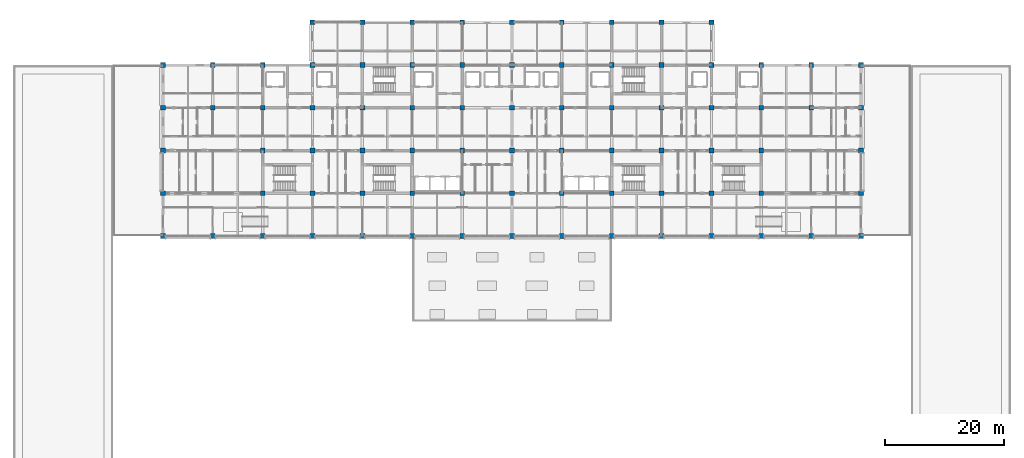
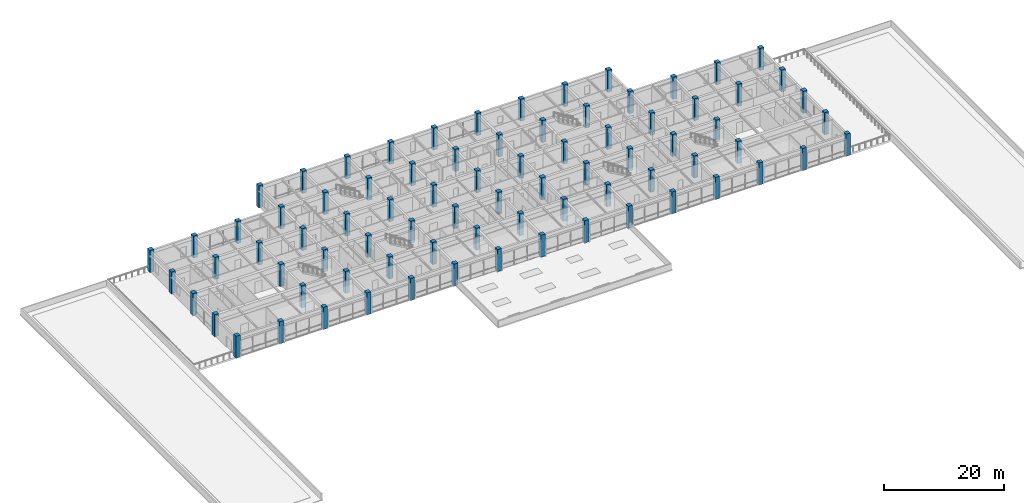
# One storey, part 1 of 40: 80 columns.
"""IFC4 building model written with IfcOpenShell, lengths in metres."""

from ifc_helpers import new_model, si_unit, direction, frame, origin, origin_2d, place, context, subcontext, project, spatial, rectangle, extrude, material, material_profile, profile_set, type_object, element, save


model = new_model("IFC4")

# Units and contexts
model_context = context("Model", 3, precision=1e-05, world=origin(), true_north=direction((0.0, 1.0)))
body_context = subcontext(model_context, "Body", "Model", "MODEL_VIEW")
ifc_project = project(units=[si_unit("LENGTHUNIT", "METRE"), si_unit("AREAUNIT", "SQUARE_METRE"), si_unit("VOLUMEUNIT", "CUBIC_METRE"), si_unit("PLANEANGLEUNIT", "RADIAN"), si_unit("MASSUNIT", "GRAM", prefix="KILO")], contexts=[model_context])

# Site, building, storey
site_placement = place(None, origin())
site = spatial("IfcSite", under=ifc_project, at=site_placement, CompositionType="ELEMENT")
building_placement = place(site_placement, origin())
building = spatial("IfcBuilding", under=site, at=building_placement, Name="Chengyuan Square Courthouse", CompositionType="ELEMENT")
storey_placement = place(building_placement, frame((0.0, 0.0, 21.60009765625)))
storey = spatial("IfcBuildingStorey", under=building, at=storey_placement, Name="L05", CompositionType="ELEMENT", Elevation=21.60009765625)

# Columns
ifc_material = material(Name="Concrete C50", Category="concrete")
ifc_material_profile = material_profile(ifc_material, rectangle(XDim=0.800048828125, YDim=0.800048828125, at=origin_2d()), Name="RC-COL-800x800")
ifc_profile_set = profile_set([ifc_material_profile], Name="Concrete C50")
column_type = type_object("IfcColumnType", Name="CL-04", PredefinedType="COLUMN", material=ifc_profile_set)
for number, where, z_axis, x_axis, name in (
    (1, (25.199951171875, 79.199951171875, 0.0), (0.0, 0.0, 1.0), (1.0, 0.0, 0.0), "Column CL-L05-001"),
    (2, (25.199951171875, 86.39990234375, 0.0), (0.0, 0.0, 1.0), (1.0, 0.0, 0.0), "Column CL-L05-002"),
    (3, (25.199951171875, 93.60009765625, 0.0), (0.0, 0.0, 1.0), (1.0, 0.0, 0.0), "Column CL-L05-003"),
    (4, (25.199951171875, 100.800048828125, 0.0), (0.0, 0.0, 1.0), (1.0, 0.0, 0.0), "Column CL-L05-004"),
    (5, (25.199951171875, 108.0, 0.0), (0.0, 0.0, 1.0), (1.0, 0.0, 0.0), "Column CL-L05-005"),
    (6, (33.60009765625, 79.199951171875, 0.0), (0.0, 0.0, 1.0), (1.0, 0.0, 0.0), "Column CL-L05-006"),
    (7, (33.60009765625, 100.800048828125, 0.0), (0.0, 0.0, 1.0), (1.0, 0.0, 0.0), "Column CL-L05-007"),
    (8, (33.60009765625, 108.0, 0.0), (0.0, 0.0, 1.0), (1.0, 0.0, 0.0), "Column CL-L05-008"),
    (9, (42.0, 79.199951171875, 0.0), (0.0, 0.0, 1.0), (1.0, 0.0, 0.0), "Column CL-L05-009"),
    (10, (42.0, 86.39990234375, 0.0), (0.0, 0.0, 1.0), (1.0, 0.0, 0.0), "Column CL-L05-010"),
    (11, (42.0, 93.60009765625, 0.0), (0.0, 0.0, 1.0), (1.0, 0.0, 0.0), "Column CL-L05-011"),
    (12, (42.0, 100.800048828125, 0.0), (0.0, 0.0, 1.0), (1.0, 0.0, 0.0), "Column CL-L05-012"),
    (13, (42.0, 108.0, 0.0), (0.0, 0.0, 1.0), (1.0, 0.0, 0.0), "Column CL-L05-013"),
    (14, (50.39990234375, 79.199951171875, 0.0), (0.0, 0.0, 1.0), (1.0, 0.0, 0.0), "Column CL-L05-014"),
    (15, (50.39990234375, 86.39990234375, 0.0), (0.0, 0.0, 1.0), (1.0, 0.0, 0.0), "Column CL-L05-015"),
    (16, (50.39990234375, 93.60009765625, 0.0), (0.0, 0.0, 1.0), (1.0, 0.0, 0.0), "Column CL-L05-016"),
    (17, (50.39990234375, 100.800048828125, 0.0), (0.0, 0.0, 1.0), (1.0, 0.0, 0.0), "Column CL-L05-017"),
    (18, (50.39990234375, 108.0, 0.0), (0.0, 0.0, 1.0), (1.0, 0.0, 0.0), "Column CL-L05-018"),
    (19, (50.39990234375, 115.199951171875, 0.0), (0.0, 0.0, 1.0), (1.0, 0.0, 0.0), "Column CL-L05-019"),
    (20, (58.800048828125, 79.199951171875, 0.0), (0.0, 0.0, 1.0), (1.0, 0.0, 0.0), "Column CL-L05-020"),
    (21, (58.800048828125, 86.39990234375, 0.0), (0.0, 0.0, 1.0), (1.0, 0.0, 0.0), "Column CL-L05-021"),
    (22, (58.800048828125, 93.60009765625, 0.0), (0.0, 0.0, 1.0), (1.0, 0.0, 0.0), "Column CL-L05-022"),
    (23, (58.800048828125, 100.800048828125, 0.0), (0.0, 0.0, 1.0), (1.0, 0.0, 0.0), "Column CL-L05-023"),
    (24, (58.800048828125, 108.0, 0.0), (0.0, 0.0, 1.0), (1.0, 0.0, 0.0), "Column CL-L05-024"),
    (25, (58.800048828125, 115.199951171875, 0.0), (0.0, 0.0, 1.0), (1.0, 0.0, 0.0), "Column CL-L05-025"),
    (26, (67.199951171875, 79.199951171875, 0.0), (0.0, 0.0, 1.0), (1.0, 0.0, 0.0), "Column CL-L05-026"),
    (27, (67.199951171875, 86.39990234375, 0.0), (0.0, 0.0, 1.0), (1.0, 0.0, 0.0), "Column CL-L05-027"),
    (28, (67.199951171875, 93.60009765625, 0.0), (0.0, 0.0, 1.0), (1.0, 0.0, 0.0), "Column CL-L05-028"),
    (29, (67.199951171875, 100.800048828125, 0.0), (0.0, 0.0, 1.0), (1.0, 0.0, 0.0), "Column CL-L05-029"),
    (30, (67.199951171875, 108.0, 0.0), (0.0, 0.0, 1.0), (1.0, 0.0, 0.0), "Column CL-L05-030"),
    (31, (67.199951171875, 115.199951171875, 0.0), (0.0, 0.0, 1.0), (1.0, 0.0, 0.0), "Column CL-L05-031"),
    (32, (75.60009765625, 79.199951171875, 0.0), (0.0, 0.0, 1.0), (1.0, 0.0, 0.0), "Column CL-L05-032"),
    (33, (75.60009765625, 86.39990234375, 0.0), (0.0, 0.0, 1.0), (1.0, 0.0, 0.0), "Column CL-L05-033"),
    (34, (75.60009765625, 93.60009765625, 0.0), (0.0, 0.0, 1.0), (1.0, 0.0, 0.0), "Column CL-L05-034"),
    (35, (75.60009765625, 100.800048828125, 0.0), (0.0, 0.0, 1.0), (1.0, 0.0, 0.0), "Column CL-L05-035"),
    (36, (75.60009765625, 108.0, 0.0), (0.0, 0.0, 1.0), (1.0, 0.0, 0.0), "Column CL-L05-036"),
    (37, (75.60009765625, 115.199951171875, 0.0), (0.0, 0.0, 1.0), (1.0, 0.0, 0.0), "Column CL-L05-037"),
    (38, (84.0, 79.199951171875, 0.0), (0.0, 0.0, 1.0), (1.0, 0.0, 0.0), "Column CL-L05-038"),
    (39, (84.0, 86.39990234375, 0.0), (0.0, 0.0, 1.0), (1.0, 0.0, 0.0), "Column CL-L05-039"),
    (40, (84.0, 93.60009765625, 0.0), (0.0, 0.0, 1.0), (1.0, 0.0, 0.0), "Column CL-L05-040"),
    (41, (84.0, 100.800048828125, 0.0), (0.0, 0.0, 1.0), (1.0, 0.0, 0.0), "Column CL-L05-041"),
    (42, (84.0, 108.0, 0.0), (0.0, 0.0, 1.0), (1.0, 0.0, 0.0), "Column CL-L05-042"),
    (43, (84.0, 115.199951171875, 0.0), (0.0, 0.0, 1.0), (1.0, 0.0, 0.0), "Column CL-L05-043"),
    (44, (92.39990234375, 79.199951171875, 0.0), (0.0, 0.0, 1.0), (1.0, 0.0, 0.0), "Column CL-L05-044"),
    (45, (92.39990234375, 86.39990234375, 0.0), (0.0, 0.0, 1.0), (1.0, 0.0, 0.0), "Column CL-L05-045"),
    (46, (92.39990234375, 93.60009765625, 0.0), (0.0, 0.0, 1.0), (1.0, 0.0, 0.0), "Column CL-L05-046"),
    (47, (92.39990234375, 100.800048828125, 0.0), (0.0, 0.0, 1.0), (1.0, 0.0, 0.0), "Column CL-L05-047"),
    (48, (92.39990234375, 108.0, 0.0), (0.0, 0.0, 1.0), (1.0, 0.0, 0.0), "Column CL-L05-048"),
    (49, (92.39990234375, 115.199951171875, 0.0), (0.0, 0.0, 1.0), (1.0, 0.0, 0.0), "Column CL-L05-049"),
    (50, (100.800048828125, 79.199951171875, 0.0), (0.0, 0.0, 1.0), (1.0, 0.0, 0.0), "Column CL-L05-050"),
    (51, (100.800048828125, 86.39990234375, 0.0), (0.0, 0.0, 1.0), (1.0, 0.0, 0.0), "Column CL-L05-051"),
    (52, (100.800048828125, 93.60009765625, 0.0), (0.0, 0.0, 1.0), (1.0, 0.0, 0.0), "Column CL-L05-052"),
    (53, (100.800048828125, 100.800048828125, 0.0), (0.0, 0.0, 1.0), (1.0, 0.0, 0.0), "Column CL-L05-053"),
    (54, (100.800048828125, 108.0, 0.0), (0.0, 0.0, 1.0), (1.0, 0.0, 0.0), "Column CL-L05-054"),
    (55, (100.800048828125, 115.199951171875, 0.0), (0.0, 0.0, 1.0), (1.0, 0.0, 0.0), "Column CL-L05-055"),
    (56, (109.199951171875, 79.199951171875, 0.0), (0.0, 0.0, 1.0), (1.0, 0.0, 0.0), "Column CL-L05-056"),
    (57, (109.199951171875, 86.39990234375, 0.0), (0.0, 0.0, 1.0), (1.0, 0.0, 0.0), "Column CL-L05-057"),
    (58, (109.199951171875, 93.60009765625, 0.0), (0.0, 0.0, 1.0), (1.0, 0.0, 0.0), "Column CL-L05-058"),
    (59, (109.199951171875, 100.800048828125, 0.0), (0.0, 0.0, 1.0), (1.0, 0.0, 0.0), "Column CL-L05-059"),
    (60, (109.199951171875, 108.0, 0.0), (0.0, 0.0, 1.0), (1.0, 0.0, 0.0), "Column CL-L05-060"),
    (61, (109.199951171875, 115.199951171875, 0.0), (0.0, 0.0, 1.0), (1.0, 0.0, 0.0), "Column CL-L05-061"),
    (62, (117.60009765625, 79.199951171875, 0.0), (0.0, 0.0, 1.0), (1.0, 0.0, 0.0), "Column CL-L05-062"),
    (63, (117.60009765625, 86.39990234375, 0.0), (0.0, 0.0, 1.0), (1.0, 0.0, 0.0), "Column CL-L05-063"),
    (64, (117.60009765625, 93.60009765625, 0.0), (0.0, 0.0, 1.0), (1.0, 0.0, 0.0), "Column CL-L05-064"),
    (65, (117.60009765625, 100.800048828125, 0.0), (0.0, 0.0, 1.0), (1.0, 0.0, 0.0), "Column CL-L05-065"),
    (66, (117.60009765625, 108.0, 0.0), (0.0, 0.0, 1.0), (1.0, 0.0, 0.0), "Column CL-L05-066"),
    (67, (117.60009765625, 115.199951171875, 0.0), (0.0, 0.0, 1.0), (1.0, 0.0, 0.0), "Column CL-L05-067"),
    (68, (126.0, 79.199951171875, 0.0), (0.0, 0.0, 1.0), (1.0, 0.0, 0.0), "Column CL-L05-068"),
    (69, (126.0, 86.39990234375, 0.0), (0.0, 0.0, 1.0), (1.0, 0.0, 0.0), "Column CL-L05-069"),
    (70, (126.0, 93.60009765625, 0.0), (0.0, 0.0, 1.0), (1.0, 0.0, 0.0), "Column CL-L05-070"),
    (71, (126.0, 100.800048828125, 0.0), (0.0, 0.0, 1.0), (1.0, 0.0, 0.0), "Column CL-L05-071"),
    (72, (126.0, 108.0, 0.0), (0.0, 0.0, 1.0), (1.0, 0.0, 0.0), "Column CL-L05-072"),
    (73, (134.39990234375, 79.199951171875, 0.0), (0.0, 0.0, 1.0), (1.0, 0.0, 0.0), "Column CL-L05-073"),
    (74, (134.39990234375, 100.800048828125, 0.0), (0.0, 0.0, 1.0), (1.0, 0.0, 0.0), "Column CL-L05-074"),
    (75, (134.39990234375, 108.0, 0.0), (0.0, 0.0, 1.0), (1.0, 0.0, 0.0), "Column CL-L05-075"),
    (76, (142.800048828125, 79.199951171875, 0.0), (0.0, 0.0, 1.0), (1.0, 0.0, 0.0), "Column CL-L05-076"),
    (77, (142.800048828125, 86.39990234375, 0.0), (0.0, 0.0, 1.0), (1.0, 0.0, 0.0), "Column CL-L05-077"),
    (78, (142.800048828125, 93.60009765625, 0.0), (0.0, 0.0, 1.0), (1.0, 0.0, 0.0), "Column CL-L05-078"),
    (79, (142.800048828125, 100.800048828125, 0.0), (0.0, 0.0, 1.0), (1.0, 0.0, 0.0), "Column CL-L05-079"),
    (80, (142.800048828125, 108.0, 0.0), (0.0, 0.0, 1.0), (1.0, 0.0, 0.0), "Column CL-L05-080"),
):
    element("IfcColumn", number, at=place(storey_placement, frame(where, z_axis=z_axis, x_axis=x_axis)), inside=storey, type_object=column_type, Name=name, PredefinedType="COLUMN", context=body_context, shape_type="SweptSolid", body=[
        extrude(rectangle(XDim=0.800048828125, YDim=0.800048828125, at=origin_2d()), origin(), (0.0, 0.0, 1.0), 4.5),
    ])

save(model, "model.ifc")
